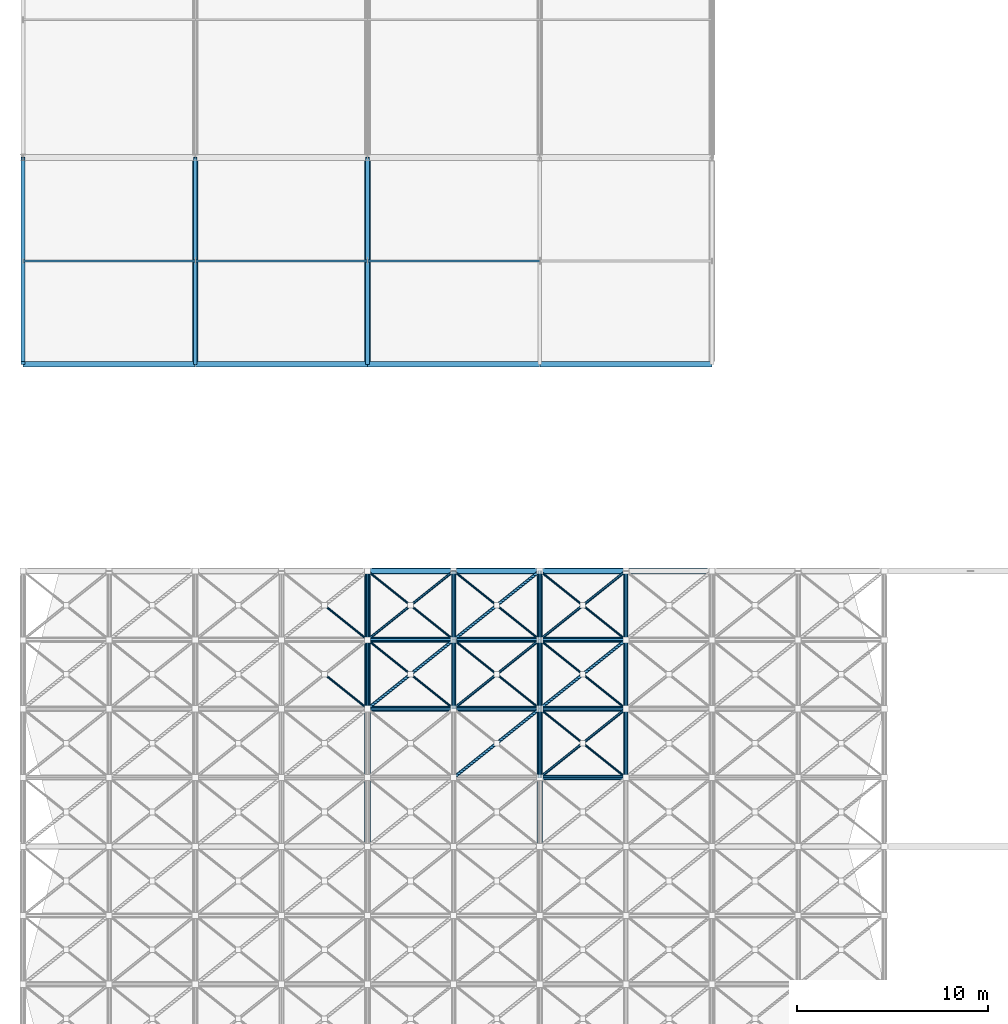
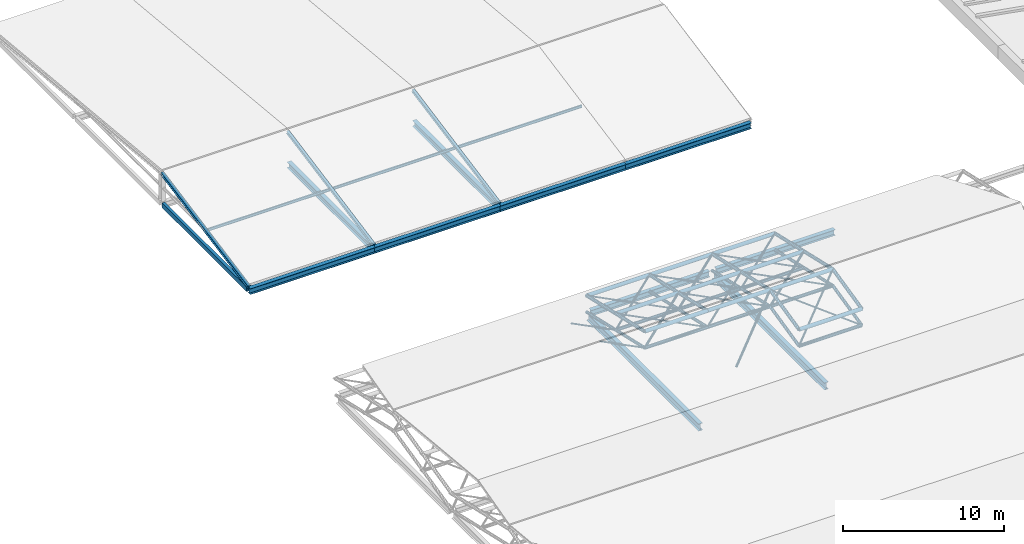
# One storey, part 28 of 110: 67 members, 11 beams.
"""IFC4 building model written with IfcOpenShell, lengths in metres."""

from ifc_helpers import new_model, si_unit, direction, frame, origin, origin_2d, place, context, subcontext, project, spatial, hollow_rectangle, hollow_circle, i_section, extrude, material, material_profile, profile_set, type_object, element, save


model = new_model("IFC4")

# Units and contexts
model_context = context("Model", 3, precision=1e-05, world=origin(), true_north=direction((0.0, 1.0)))
body_context = subcontext(model_context, "Body", "Model", "MODEL_VIEW")
ifc_project = project(units=[si_unit("LENGTHUNIT", "METRE"), si_unit("AREAUNIT", "SQUARE_METRE"), si_unit("VOLUMEUNIT", "CUBIC_METRE"), si_unit("PLANEANGLEUNIT", "RADIAN"), si_unit("MASSUNIT", "GRAM", prefix="KILO")], contexts=[model_context])

# Site, building, storey
site_placement = place(None, origin())
site = spatial("IfcSite", under=ifc_project, at=site_placement, CompositionType="ELEMENT")
building_placement = place(site_placement, origin())
building = spatial("IfcBuilding", under=site, at=building_placement, Name="Tamarisk Ironworks Central Station", CompositionType="ELEMENT")
storey_placement = place(building_placement, frame((0.0, 0.0, 17.39990234375)))
storey = spatial("IfcBuildingStorey", under=building, at=storey_placement, Name="L03", CompositionType="ELEMENT", Elevation=17.39990234375)

# Beams
ifc_material_1 = material(Name="Structural steel S355J2", Category="steel")
ifc_material_profile_1 = material_profile(ifc_material_1, i_section(OverallWidth=0.300048828125, OverallDepth=0.5400390625, WebThickness=0.012451171875, FlangeThickness=0.02392578125, at=origin_2d()), Name="HEA 550")
ifc_profile_set_1 = profile_set([ifc_material_profile_1], Name="Structural steel S355J2")
beam_type_1 = type_object("IfcBeamType", Name="BM-G04", PredefinedType="BEAM", material=ifc_profile_set_1)
beam_1_placement = place(storey_placement, frame((18.0, 65.0419921875, -1.869873046875), z_axis=(0.0, 1.0, 0.0), x_axis=(-1.0, 0.0, 0.0)))
element("IfcBeam", 1, at=beam_1_placement, inside=storey, type_object=beam_type_1, Name="L03 primary girder Y-0593", PredefinedType="BEAM", context=body_context, shape_type="SweptSolid", body=[
    extrude(i_section(OverallWidth=0.300048828125, OverallDepth=0.5400390625, WebThickness=0.012451171875, FlangeThickness=0.02392578125, at=origin_2d()), origin(), (0.0, 0.0, 1.0), 13.916015625),
])
beam_2_placement = place(storey_placement, frame((27.0, 64.9912109375, -1.869873046875), z_axis=(0.0, 1.0, 0.0), x_axis=(-1.0, 0.0, 0.0)))
element("IfcBeam", 2, at=beam_2_placement, inside=storey, type_object=beam_type_1, Name="L03 primary girder Y-0597", PredefinedType="BEAM", context=body_context, shape_type="SweptSolid", body=[
    extrude(i_section(OverallWidth=0.300048828125, OverallDepth=0.5400390625, WebThickness=0.012451171875, FlangeThickness=0.02392578125, at=origin_2d()), origin(), (0.0, 0.0, 1.0), 13.966796875),
])
ifc_material_profile_2 = material_profile(ifc_material_1, i_section(OverallWidth=0.300048828125, OverallDepth=0.43994140625, WebThickness=0.011474609375, FlangeThickness=0.02099609375, at=origin_2d()), Name="HEA 450")
ifc_profile_set_2 = profile_set([ifc_material_profile_2], Name="Structural steel S355J2")
beam_type_2 = type_object("IfcBeamType", Name="BM-G06", PredefinedType="BEAM", material=ifc_profile_set_2)
for number, where, z_axis, x_axis, name in (
    (3, (18.241943359375, 79.199951171875, -1.81982421875), (1.0, 0.0, 0.0), (0.0, 1.0, 0.0), "L03 primary girder X-0579"),
    (4, (27.241943359375, 79.199951171875, -1.81982421875), (1.0, 0.0, 0.0), (0.0, 1.0, 0.0), "L03 primary girder X-0580"),
):
    element("IfcBeam", number, at=place(storey_placement, frame(where, z_axis=z_axis, x_axis=x_axis)), inside=storey, type_object=beam_type_2, Name=name, PredefinedType="BEAM", context=body_context, shape_type="SweptSolid", body=[
        extrude(i_section(OverallWidth=0.300048828125, OverallDepth=0.43994140625, WebThickness=0.011474609375, FlangeThickness=0.02099609375, at=origin_2d()), origin(), (0.0, 0.0, 1.0), 8.51611328125),
    ])
for number, where, z_axis, x_axis, name in (
    (5, (0.00390625, 90.0, -0.33984375), (1.0, 0.0, 0.0), (0.0, 1.0, 0.0), "L03 primary girder X-0632"),
    (6, (9.00390625, 90.0, -0.33984375), (1.0, 0.0, 0.0), (0.0, 1.0, 0.0), "L03 primary girder X-0633"),
    (7, (18.00390625, 90.0, -0.33984375), (1.0, 0.0, 0.0), (0.0, 1.0, 0.0), "L03 primary girder X-0634"),
    (8, (27.00390625, 90.0, -0.33984375), (1.0, 0.0, 0.0), (0.0, 1.0, 0.0), "L03 primary girder X-0635"),
):
    element("IfcBeam", number, at=place(storey_placement, frame(where, z_axis=z_axis, x_axis=x_axis)), inside=storey, type_object=beam_type_2, Name=name, PredefinedType="BEAM", context=body_context, shape_type="SweptSolid", body=[
        extrude(i_section(OverallWidth=0.300048828125, OverallDepth=0.43994140625, WebThickness=0.011474609375, FlangeThickness=0.02099609375, at=origin_2d()), origin(), (0.0, 0.0, 1.0), 8.9921875),
    ])
for number, where, z_axis, x_axis, name in (
    (9, (9.0, 90.137939453125, -0.33984375), (0.0, 1.0, 0.0), (-1.0, 0.0, 0.0), "L03 primary girder Y-0670"),
    (10, (18.0, 90.137939453125, -0.33984375), (0.0, 1.0, 0.0), (-1.0, 0.0, 0.0), "L03 primary girder Y-0672"),
):
    element("IfcBeam", number, at=place(storey_placement, frame(where, z_axis=z_axis, x_axis=x_axis)), inside=storey, type_object=beam_type_2, Name=name, PredefinedType="BEAM", context=body_context, shape_type="SweptSolid", body=[
        extrude(i_section(OverallWidth=0.300048828125, OverallDepth=0.43994140625, WebThickness=0.011474609375, FlangeThickness=0.02099609375, at=origin_2d()), origin(), (0.0, 0.0, 1.0), 10.494140625),
    ])
ifc_material_profile_3 = material_profile(ifc_material_1, hollow_rectangle(XDim=0.199951171875, YDim=0.35009765625, WallThickness=0.012451171875, at=origin_2d()), Name="RHS 350x200x12.5")
ifc_profile_set_3 = profile_set([ifc_material_profile_3], Name="Structural steel S355J2")
beam_type_3 = type_object("IfcBeamType", Name="BM-SP01", PredefinedType="SPANDREL", material=ifc_profile_set_3)
beam_3_placement = place(storey_placement, frame((0.0, 90.137939453125, -0.294921875), z_axis=(0.0, 1.0, 0.0), x_axis=(-1.0, 0.0, 0.0)))
element("IfcBeam", 11, at=beam_3_placement, inside=storey, type_object=beam_type_3, Name="L03 primary girder Y-0667", PredefinedType="SPANDREL", context=body_context, shape_type="SweptSolid", body=[
    extrude(hollow_rectangle(XDim=0.199951171875, YDim=0.35009765625, WallThickness=0.012451171875, at=origin_2d()), origin(), (0.0, 0.0, 1.0), 10.524169921875),
])

# Members
ifc_material_profile_4 = material_profile(ifc_material_1, i_section(OverallWidth=0.10009765625, OverallDepth=0.199951171875, WebThickness=0.005615234375, FlangeThickness=0.008544921875, at=origin_2d()), Name="IPE 200")
ifc_profile_set_4 = profile_set([ifc_material_profile_4], Name="Structural steel S355J2")
member_type_1 = type_object("IfcMemberType", Name="MB-PR03", PredefinedType="PURLIN", material=ifc_profile_set_4)
for number, where, z_axis, x_axis, name in (
    (12, (0.0, 95.39990234375, 0.945068359375), (1.0, 0.0, 0.0), (0.0, 1.0, 0.0), "Pavilion roof purlin 17"),
    (13, (9.0, 95.39990234375, 0.945068359375), (1.0, 0.0, 0.0), (0.0, 1.0, 0.0), "Pavilion roof purlin 21"),
    (14, (18.0, 95.39990234375, 0.945068359375), (1.0, 0.0, 0.0), (0.0, 1.0, 0.0), "Pavilion roof purlin 25"),
):
    element("IfcMember", number, at=place(storey_placement, frame(where, z_axis=z_axis, x_axis=x_axis)), inside=storey, type_object=member_type_1, Name=name, PredefinedType="PURLIN", context=body_context, shape_type="SweptSolid", body=[
        extrude(i_section(OverallWidth=0.10009765625, OverallDepth=0.199951171875, WebThickness=0.005615234375, FlangeThickness=0.008544921875, at=origin_2d()), origin(), (0.0, 0.0, 1.0), 9.0),
    ])
ifc_material_profile_5 = material_profile(ifc_material_1, i_section(OverallWidth=0.219970703125, OverallDepth=0.219970703125, WebThickness=0.009521484375, FlangeThickness=0.01611328125, at=origin_2d()), Name="HEB 220")
ifc_profile_set_5 = profile_set([ifc_material_profile_5], Name="Structural steel S355J2")
member_type_2 = type_object("IfcMemberType", Name="MB-RF01", PredefinedType="RAFTER", material=ifc_profile_set_5)
member_1_placement = place(storey_placement, frame((0.0, 90.0, -0.059814453125), z_axis=(0.0, 0.981957490531, 0.189101789494), x_axis=(-1.0, 0.0, 0.0)))
element("IfcMember", 15, at=member_1_placement, inside=storey, type_object=member_type_2, Name="Pavilion pitched roof steel rafter 01", PredefinedType="RAFTER", context=body_context, shape_type="SweptSolid", body=[
    extrude(i_section(OverallWidth=0.219970703125, OverallDepth=0.219970703125, WebThickness=0.009521484375, FlangeThickness=0.01611328125, at=origin_2d()), origin(), (0.0, 0.0, 1.0), 10.99853515625),
])
ifc_material_profile_6 = material_profile(ifc_material_1, i_section(OverallWidth=0.199951171875, OverallDepth=0.199951171875, WebThickness=0.009033203125, FlangeThickness=0.014892578125, at=origin_2d()), Name="HEB 200")
ifc_profile_set_6 = profile_set([ifc_material_profile_6], Name="Structural steel S355J2")
member_type_3 = type_object("IfcMemberType", Name="MB-RF02", PredefinedType="RAFTER", material=ifc_profile_set_6)
for number, where, z_axis, x_axis, name in (
    (16, (9.0, 90.0, -0.059814453125), (0.0, 0.981957490531, 0.189101789494), (-1.0, 0.0, 0.0), "Pavilion pitched roof steel rafter 04"),
    (17, (18.0, 90.0, -0.059814453125), (0.0, 0.981957490531, 0.189101789494), (-1.0, 0.0, 0.0), "Pavilion pitched roof steel rafter 07"),
):
    element("IfcMember", number, at=place(storey_placement, frame(where, z_axis=z_axis, x_axis=x_axis)), inside=storey, type_object=member_type_3, Name=name, PredefinedType="RAFTER", context=body_context, shape_type="SweptSolid", body=[
        extrude(i_section(OverallWidth=0.199951171875, OverallDepth=0.199951171875, WebThickness=0.009033203125, FlangeThickness=0.014892578125, at=origin_2d()), origin(), (0.0, 0.0, 1.0), 10.99853515625),
    ])
ifc_material_2 = material(Name="Structural steel S355J2H", Category="steel")
ifc_material_profile_7 = material_profile(ifc_material_2, hollow_circle(Radius=0.136474609375, WallThickness=0.012451171875, at=origin_2d()), Name="CHS 273x12.5")
ifc_profile_set_7 = profile_set([ifc_material_profile_7], Name="Structural steel S355J2H")
member_type_4 = type_object("IfcMemberType", Name="MB-SFC01", PredefinedType="CHORD", material=ifc_profile_set_7)
for number, where, z_axis, x_axis, name in (
    (18, (27.0, 68.39990234375, 0.35498046875), (1.0, 0.0, 0.0), (0.0, 1.0, 0.0), "Train shed space-frame top chord 0805"),
    (19, (18.0, 72.0, 1.18017578125), (1.0, 0.0, 0.0), (0.0, 1.0, 0.0), "Train shed space-frame top chord 0813"),
    (20, (22.5, 72.0, 1.18017578125), (1.0, 0.0, 0.0), (0.0, 1.0, 0.0), "Train shed space-frame top chord 0814"),
    (21, (27.0, 72.0, 1.18017578125), (1.0, 0.0, 0.0), (0.0, 1.0, 0.0), "Train shed space-frame top chord 0815"),
    (22, (18.0, 75.60009765625, 0.35498046875), (1.0, 0.0, 0.0), (0.0, 1.0, 0.0), "Train shed space-frame top chord 0823"),
    (23, (22.5, 75.60009765625, 0.35498046875), (1.0, 0.0, 0.0), (0.0, 1.0, 0.0), "Train shed space-frame top chord 0824"),
    (24, (27.0, 75.60009765625, 0.35498046875), (1.0, 0.0, 0.0), (0.0, 1.0, 0.0), "Train shed space-frame top chord 0825"),
    (25, (18.0, 79.199951171875, -0.469970703125), (1.0, 0.0, 0.0), (0.0, 1.0, 0.0), "Train shed space-frame top chord 0833"),
    (26, (22.5, 79.199951171875, -0.469970703125), (1.0, 0.0, 0.0), (0.0, 1.0, 0.0), "Train shed space-frame top chord 0834"),
    (27, (27.0, 79.199951171875, -0.469970703125), (1.0, 0.0, 0.0), (0.0, 1.0, 0.0), "Train shed space-frame top chord 0835"),
):
    element("IfcMember", number, at=place(storey_placement, frame(where, z_axis=z_axis, x_axis=x_axis)), inside=storey, type_object=member_type_4, Name=name, PredefinedType="CHORD", context=body_context, shape_type="SweptSolid", body=[
        extrude(hollow_circle(Radius=0.136474609375, WallThickness=0.012451171875, at=origin_2d()), origin(), (0.0, 0.0, 1.0), 4.5),
    ])
ifc_material_profile_8 = material_profile(ifc_material_2, hollow_circle(Radius=0.122314453125, WallThickness=0.012451171875, at=origin_2d()), Name="CHS 244.5x12.5")
ifc_profile_set_8 = profile_set([ifc_material_profile_8], Name="Structural steel S355J2H")
member_type_5 = type_object("IfcMemberType", Name="MB-SFC02", PredefinedType="CHORD", material=ifc_profile_set_8)
for number, where, z_axis, x_axis, name in (
    (28, (27.0, 68.39990234375, -0.89501953125), (1.0, 0.0, 0.0), (0.0, 1.0, 0.0), "Train shed space-frame bottom chord 0731"),
    (29, (18.0, 72.0, -0.06982421875), (1.0, 0.0, 0.0), (0.0, 1.0, 0.0), "Train shed space-frame bottom chord 0739"),
    (30, (22.5, 72.0, -0.06982421875), (1.0, 0.0, 0.0), (0.0, 1.0, 0.0), "Train shed space-frame bottom chord 0740"),
    (31, (27.0, 72.0, -0.06982421875), (1.0, 0.0, 0.0), (0.0, 1.0, 0.0), "Train shed space-frame bottom chord 0741"),
    (32, (18.0, 75.60009765625, -0.89501953125), (1.0, 0.0, 0.0), (0.0, 1.0, 0.0), "Train shed space-frame bottom chord 0749"),
    (33, (22.5, 75.60009765625, -0.89501953125), (1.0, 0.0, 0.0), (0.0, 1.0, 0.0), "Train shed space-frame bottom chord 0750"),
    (34, (27.0, 75.60009765625, -0.89501953125), (1.0, 0.0, 0.0), (0.0, 1.0, 0.0), "Train shed space-frame bottom chord 0751"),
):
    element("IfcMember", number, at=place(storey_placement, frame(where, z_axis=z_axis, x_axis=x_axis)), inside=storey, type_object=member_type_5, Name=name, PredefinedType="CHORD", context=body_context, shape_type="SweptSolid", body=[
        extrude(hollow_circle(Radius=0.122314453125, WallThickness=0.012451171875, at=origin_2d()), origin(), (0.0, 0.0, 1.0), 4.5),
    ])
member_2_placement = place(storey_placement, frame((18.0, 72.0, 1.18017578125), z_axis=(0.0, 0.974722123001, -0.223420641241), x_axis=(-1.0, 0.0, 0.0)))
element("IfcMember", 35, at=member_2_placement, inside=storey, type_object=member_type_5, Name="Train shed space-frame top transverse chord 0857", PredefinedType="CHORD", context=body_context, shape_type="SweptSolid", body=[
    extrude(hollow_circle(Radius=0.122314453125, WallThickness=0.012451171875, at=origin_2d()), origin(), (0.0, 0.0, 1.0), 3.693359375),
])
member_3_placement = place(storey_placement, frame((18.0, 75.60009765625, 0.35498046875), z_axis=(0.0, 0.974733218107, -0.223372230857), x_axis=(-1.0, 0.0, 0.0)))
element("IfcMember", 36, at=member_3_placement, inside=storey, type_object=member_type_5, Name="Train shed space-frame top transverse chord 0858", PredefinedType="CHORD", context=body_context, shape_type="SweptSolid", body=[
    extrude(hollow_circle(Radius=0.122314453125, WallThickness=0.012451171875, at=origin_2d()), origin(), (0.0, 0.0, 1.0), 3.693115234375),
])
member_4_placement = place(storey_placement, frame((22.5, 72.0, 1.18017578125), z_axis=(0.0, 0.974722123001, -0.223420641241), x_axis=(-1.0, 0.0, 0.0)))
element("IfcMember", 37, at=member_4_placement, inside=storey, type_object=member_type_5, Name="Train shed space-frame top transverse chord 0861", PredefinedType="CHORD", context=body_context, shape_type="SweptSolid", body=[
    extrude(hollow_circle(Radius=0.122314453125, WallThickness=0.012451171875, at=origin_2d()), origin(), (0.0, 0.0, 1.0), 3.693359375),
])
member_5_placement = place(storey_placement, frame((22.5, 75.60009765625, 0.35498046875), z_axis=(0.0, 0.974733218107, -0.223372230857), x_axis=(-1.0, 0.0, 0.0)))
element("IfcMember", 38, at=member_5_placement, inside=storey, type_object=member_type_5, Name="Train shed space-frame top transverse chord 0862", PredefinedType="CHORD", context=body_context, shape_type="SweptSolid", body=[
    extrude(hollow_circle(Radius=0.122314453125, WallThickness=0.012451171875, at=origin_2d()), origin(), (0.0, 0.0, 1.0), 3.693115234375),
])
for number, where, z_axis, x_axis, name in (
    (39, (27.0, 68.39990234375, 0.35498046875), (0.0, 0.974722123001, 0.223420641241), (-1.0, 0.0, 0.0), "Train shed space-frame top transverse chord 0864"),
    (40, (27.0, 72.0, 1.18017578125), (0.0, 0.974722123001, -0.223420641241), (-1.0, 0.0, 0.0), "Train shed space-frame top transverse chord 0865"),
):
    element("IfcMember", number, at=place(storey_placement, frame(where, z_axis=z_axis, x_axis=x_axis)), inside=storey, type_object=member_type_5, Name=name, PredefinedType="CHORD", context=body_context, shape_type="SweptSolid", body=[
        extrude(hollow_circle(Radius=0.122314453125, WallThickness=0.012451171875, at=origin_2d()), origin(), (0.0, 0.0, 1.0), 3.693359375),
    ])
member_6_placement = place(storey_placement, frame((27.0, 75.60009765625, 0.35498046875), z_axis=(0.0, 0.974733218107, -0.223372230857), x_axis=(-1.0, 0.0, 0.0)))
element("IfcMember", 41, at=member_6_placement, inside=storey, type_object=member_type_5, Name="Train shed space-frame top transverse chord 0866", PredefinedType="CHORD", context=body_context, shape_type="SweptSolid", body=[
    extrude(hollow_circle(Radius=0.122314453125, WallThickness=0.012451171875, at=origin_2d()), origin(), (0.0, 0.0, 1.0), 3.693115234375),
])
for number, where, z_axis, x_axis, name in (
    (42, (31.5, 68.39990234375, 0.35498046875), (0.0, 0.974722123001, 0.223420641241), (-1.0, 0.0, 0.0), "Train shed space-frame top transverse chord 0868"),
    (43, (31.5, 72.0, 1.18017578125), (0.0, 0.974722123001, -0.223420641241), (-1.0, 0.0, 0.0), "Train shed space-frame top transverse chord 0869"),
):
    element("IfcMember", number, at=place(storey_placement, frame(where, z_axis=z_axis, x_axis=x_axis)), inside=storey, type_object=member_type_5, Name=name, PredefinedType="CHORD", context=body_context, shape_type="SweptSolid", body=[
        extrude(hollow_circle(Radius=0.122314453125, WallThickness=0.012451171875, at=origin_2d()), origin(), (0.0, 0.0, 1.0), 3.693359375),
    ])
member_7_placement = place(storey_placement, frame((31.5, 75.60009765625, 0.35498046875), z_axis=(0.0, 0.974733218107, -0.223372230857), x_axis=(-1.0, 0.0, 0.0)))
element("IfcMember", 44, at=member_7_placement, inside=storey, type_object=member_type_5, Name="Train shed space-frame top transverse chord 0870", PredefinedType="CHORD", context=body_context, shape_type="SweptSolid", body=[
    extrude(hollow_circle(Radius=0.122314453125, WallThickness=0.012451171875, at=origin_2d()), origin(), (0.0, 0.0, 1.0), 3.693115234375),
])
ifc_material_profile_9 = material_profile(ifc_material_2, hollow_circle(Radius=0.109619140625, WallThickness=0.010009765625, at=origin_2d()), Name="CHS 219.1x10")
ifc_profile_set_9 = profile_set([ifc_material_profile_9], Name="Structural steel S355J2H")
member_type_6 = type_object("IfcMemberType", Name="MB-SFC03", PredefinedType="CHORD", material=ifc_profile_set_9)
member_8_placement = place(storey_placement, frame((18.0, 72.0, -0.06982421875), z_axis=(0.0, 0.974722123001, -0.223420641241), x_axis=(-1.0, 0.0, 0.0)))
element("IfcMember", 45, at=member_8_placement, inside=storey, type_object=member_type_6, Name="Train shed space-frame transverse chord 0773", PredefinedType="CHORD", context=body_context, shape_type="SweptSolid", body=[
    extrude(hollow_circle(Radius=0.109619140625, WallThickness=0.010009765625, at=origin_2d()), origin(), (0.0, 0.0, 1.0), 3.693359375),
])
member_9_placement = place(storey_placement, frame((18.0, 75.60009765625, -0.89501953125), z_axis=(0.0, 0.974733218107, -0.223372230857), x_axis=(-1.0, 0.0, 0.0)))
element("IfcMember", 46, at=member_9_placement, inside=storey, type_object=member_type_6, Name="Train shed space-frame transverse chord 0774", PredefinedType="CHORD", context=body_context, shape_type="SweptSolid", body=[
    extrude(hollow_circle(Radius=0.109619140625, WallThickness=0.010009765625, at=origin_2d()), origin(), (0.0, 0.0, 1.0), 3.693115234375),
])
member_10_placement = place(storey_placement, frame((22.5, 72.0, -0.06982421875), z_axis=(0.0, 0.974722123001, -0.223420641241), x_axis=(-1.0, 0.0, 0.0)))
element("IfcMember", 47, at=member_10_placement, inside=storey, type_object=member_type_6, Name="Train shed space-frame transverse chord 0777", PredefinedType="CHORD", context=body_context, shape_type="SweptSolid", body=[
    extrude(hollow_circle(Radius=0.109619140625, WallThickness=0.010009765625, at=origin_2d()), origin(), (0.0, 0.0, 1.0), 3.693359375),
])
member_11_placement = place(storey_placement, frame((22.5, 75.60009765625, -0.89501953125), z_axis=(0.0, 0.974733218107, -0.223372230857), x_axis=(-1.0, 0.0, 0.0)))
element("IfcMember", 48, at=member_11_placement, inside=storey, type_object=member_type_6, Name="Train shed space-frame transverse chord 0778", PredefinedType="CHORD", context=body_context, shape_type="SweptSolid", body=[
    extrude(hollow_circle(Radius=0.109619140625, WallThickness=0.010009765625, at=origin_2d()), origin(), (0.0, 0.0, 1.0), 3.693115234375),
])
for number, where, z_axis, x_axis, name in (
    (49, (27.0, 68.39990234375, -0.89501953125), (0.0, 0.974722123001, 0.223420641241), (-1.0, 0.0, 0.0), "Train shed space-frame transverse chord 0780"),
    (50, (27.0, 72.0, -0.06982421875), (0.0, 0.974722123001, -0.223420641241), (-1.0, 0.0, 0.0), "Train shed space-frame transverse chord 0781"),
):
    element("IfcMember", number, at=place(storey_placement, frame(where, z_axis=z_axis, x_axis=x_axis)), inside=storey, type_object=member_type_6, Name=name, PredefinedType="CHORD", context=body_context, shape_type="SweptSolid", body=[
        extrude(hollow_circle(Radius=0.109619140625, WallThickness=0.010009765625, at=origin_2d()), origin(), (0.0, 0.0, 1.0), 3.693359375),
    ])
member_12_placement = place(storey_placement, frame((27.0, 75.60009765625, -0.89501953125), z_axis=(0.0, 0.974733218107, -0.223372230857), x_axis=(-1.0, 0.0, 0.0)))
element("IfcMember", 51, at=member_12_placement, inside=storey, type_object=member_type_6, Name="Train shed space-frame transverse chord 0782", PredefinedType="CHORD", context=body_context, shape_type="SweptSolid", body=[
    extrude(hollow_circle(Radius=0.109619140625, WallThickness=0.010009765625, at=origin_2d()), origin(), (0.0, 0.0, 1.0), 3.693115234375),
])
for number, where, z_axis, x_axis, name in (
    (52, (31.5, 68.39990234375, -0.89501953125), (0.0, 0.974722123001, 0.223420641241), (-1.0, 0.0, 0.0), "Train shed space-frame transverse chord 0784"),
    (53, (31.5, 72.0, -0.06982421875), (0.0, 0.974722123001, -0.223420641241), (-1.0, 0.0, 0.0), "Train shed space-frame transverse chord 0785"),
):
    element("IfcMember", number, at=place(storey_placement, frame(where, z_axis=z_axis, x_axis=x_axis)), inside=storey, type_object=member_type_6, Name=name, PredefinedType="CHORD", context=body_context, shape_type="SweptSolid", body=[
        extrude(hollow_circle(Radius=0.109619140625, WallThickness=0.010009765625, at=origin_2d()), origin(), (0.0, 0.0, 1.0), 3.693359375),
    ])
member_13_placement = place(storey_placement, frame((31.5, 75.60009765625, -0.89501953125), z_axis=(0.0, 0.974733218107, -0.223372230857), x_axis=(-1.0, 0.0, 0.0)))
element("IfcMember", 54, at=member_13_placement, inside=storey, type_object=member_type_6, Name="Train shed space-frame transverse chord 0786", PredefinedType="CHORD", context=body_context, shape_type="SweptSolid", body=[
    extrude(hollow_circle(Radius=0.109619140625, WallThickness=0.010009765625, at=origin_2d()), origin(), (0.0, 0.0, 1.0), 3.693115234375),
])
ifc_material_profile_10 = material_profile(ifc_material_2, hollow_circle(Radius=0.084228515625, WallThickness=0.010009765625, at=origin_2d()), Name="CHS 168.3x10")
ifc_profile_set_10 = profile_set([ifc_material_profile_10], Name="Structural steel S355J2H")
member_type_7 = type_object("IfcMemberType", Name="MB-SFD01", PredefinedType="BRACE", material=ifc_profile_set_10)
member_14_placement = place(storey_placement, frame((18.0, 72.0, -0.06982421875), z_axis=(0.778747645228, 0.623015016088, 0.073514588905), x_axis=(-0.624705380279, 0.780860543151, 0.0)))
element("IfcMember", 55, at=member_14_placement, inside=storey, type_object=member_type_7, Name="Train shed space-frame diagonal 0919", PredefinedType="BRACE", context=body_context, shape_type="SweptSolid", body=[
    extrude(hollow_circle(Radius=0.084228515625, WallThickness=0.010009765625, at=origin_2d()), origin(), (0.0, 0.0, 1.0), 5.778564453125),
])
member_15_placement = place(storey_placement, frame((22.5, 68.39990234375, -0.89501953125), z_axis=(0.734679055902, 0.587759188278, 0.338800562889), x_axis=(-0.624705380279, 0.780860543151, 0.0)))
element("IfcMember", 56, at=member_15_placement, inside=storey, type_object=member_type_7, Name="Train shed space-frame diagonal 0925", PredefinedType="BRACE", context=body_context, shape_type="SweptSolid", body=[
    extrude(hollow_circle(Radius=0.084228515625, WallThickness=0.010009765625, at=origin_2d()), origin(), (0.0, 0.0, 1.0), 6.125244140625),
])
member_16_placement = place(storey_placement, frame((22.5, 75.60009765625, -0.89501953125), z_axis=(0.778765724077, 0.622987228815, 0.073558546312), x_axis=(-0.624679547852, 0.780881208953, 0.0)))
element("IfcMember", 57, at=member_16_placement, inside=storey, type_object=member_type_7, Name="Train shed space-frame diagonal 0929", PredefinedType="BRACE", context=body_context, shape_type="SweptSolid", body=[
    extrude(hollow_circle(Radius=0.084228515625, WallThickness=0.010009765625, at=origin_2d()), origin(), (0.0, 0.0, 1.0), 5.7783203125),
])
member_17_placement = place(storey_placement, frame((27.0, 72.0, -0.06982421875), z_axis=(0.778747645228, 0.623015016088, 0.073514588905), x_axis=(-0.624705380279, 0.780860543151, 0.0)))
element("IfcMember", 58, at=member_17_placement, inside=storey, type_object=member_type_7, Name="Train shed space-frame diagonal 0935", PredefinedType="BRACE", context=body_context, shape_type="SweptSolid", body=[
    extrude(hollow_circle(Radius=0.084228515625, WallThickness=0.010009765625, at=origin_2d()), origin(), (0.0, 0.0, 1.0), 5.778564453125),
])
ifc_material_profile_11 = material_profile(ifc_material_2, hollow_circle(Radius=0.06982421875, WallThickness=0.008056640625, at=origin_2d()), Name="CHS 139.7x8")
ifc_profile_set_11 = profile_set([ifc_material_profile_11], Name="Structural steel S355J2H")
member_type_8 = type_object("IfcMemberType", Name="MB-SFD02", PredefinedType="BRACE", material=ifc_profile_set_11)
member_18_placement = place(storey_placement, frame((18.0, 75.60009765625, -0.89501953125), z_axis=(0.778765724077, 0.622987228815, 0.073558546312), x_axis=(-0.624679547852, 0.780881208953, 0.0)))
element("IfcMember", 59, at=member_18_placement, inside=storey, type_object=member_type_8, Name="Train shed space-frame diagonal 0921", PredefinedType="BRACE", context=body_context, shape_type="SweptSolid", body=[
    extrude(hollow_circle(Radius=0.06982421875, WallThickness=0.008056640625, at=origin_2d()), origin(), (0.0, 0.0, 1.0), 5.7783203125),
])
member_19_placement = place(storey_placement, frame((22.5, 72.0, -0.06982421875), z_axis=(0.778747645228, 0.623015016088, 0.073514588905), x_axis=(-0.624705380279, 0.780860543151, 0.0)))
element("IfcMember", 60, at=member_19_placement, inside=storey, type_object=member_type_8, Name="Train shed space-frame diagonal 0927", PredefinedType="BRACE", context=body_context, shape_type="SweptSolid", body=[
    extrude(hollow_circle(Radius=0.06982421875, WallThickness=0.008056640625, at=origin_2d()), origin(), (0.0, 0.0, 1.0), 5.778564453125),
])
member_20_placement = place(storey_placement, frame((27.0, 68.39990234375, -0.89501953125), z_axis=(0.734679055902, 0.587759188278, 0.338800562889), x_axis=(-0.624705380279, 0.780860543151, 0.0)))
element("IfcMember", 61, at=member_20_placement, inside=storey, type_object=member_type_8, Name="Train shed space-frame diagonal 0933", PredefinedType="BRACE", context=body_context, shape_type="SweptSolid", body=[
    extrude(hollow_circle(Radius=0.06982421875, WallThickness=0.008056640625, at=origin_2d()), origin(), (0.0, 0.0, 1.0), 6.125244140625),
])
member_21_placement = place(storey_placement, frame((27.0, 75.60009765625, -0.89501953125), z_axis=(0.778765724077, 0.622987228815, 0.073558546312), x_axis=(-0.624679547852, 0.780881208953, 0.0)))
element("IfcMember", 62, at=member_21_placement, inside=storey, type_object=member_type_8, Name="Train shed space-frame diagonal 0937", PredefinedType="BRACE", context=body_context, shape_type="SweptSolid", body=[
    extrude(hollow_circle(Radius=0.06982421875, WallThickness=0.008056640625, at=origin_2d()), origin(), (0.0, 0.0, 1.0), 5.7783203125),
])
ifc_material_profile_12 = material_profile(ifc_material_2, hollow_circle(Radius=0.05712890625, WallThickness=0.00634765625, at=origin_2d()), Name="CHS 114.3x6.3")
ifc_profile_set_12 = profile_set([ifc_material_profile_12], Name="Structural steel S355J2H")
member_type_9 = type_object("IfcMemberType", Name="MB-SFD03", PredefinedType="BRACE", material=ifc_profile_set_12)
for number, where, z_axis, x_axis, name in (
    (63, (18.0, 72.0, -0.06982421875), (-0.778786711003, 0.622960457248, 0.073563084968), (-0.624652913247, -0.780902515025, 0.0), "Train shed space-frame split counter-diagonal lower 0912"),
    (64, (18.0, 75.60009765625, -0.89501953125), (-0.778786711003, 0.622960457248, 0.073563084968), (-0.624652913247, -0.780902515025, 0.0), "Train shed space-frame split counter-diagonal lower 0914"),
    (65, (22.5, 72.0, -0.06982421875), (-0.778786711003, 0.622960457248, 0.073563084968), (-0.624652913247, -0.780902515025, 0.0), "Train shed space-frame split counter-diagonal lower 0920"),
):
    element("IfcMember", number, at=place(storey_placement, frame(where, z_axis=z_axis, x_axis=x_axis)), inside=storey, type_object=member_type_9, Name=name, PredefinedType="BRACE", context=body_context, shape_type="SweptSolid", body=[
        extrude(hollow_circle(Radius=0.05712890625, WallThickness=0.00634765625, at=origin_2d()), origin(), (0.0, 0.0, 1.0), 2.834228515625),
    ])
member_22_placement = place(storey_placement, frame((20.207275390625, 73.834228515625, 0.146484375), z_axis=(-0.778744920641, 0.623013163477, 0.07355913751), x_axis=(-0.624705580279, -0.780860383147, 0.0)))
element("IfcMember", 66, at=member_22_placement, inside=storey, type_object=member_type_9, Name="Train shed space-frame split counter-diagonal upper 0920", PredefinedType="BRACE", context=body_context, shape_type="SweptSolid", body=[
    extrude(hollow_circle(Radius=0.05712890625, WallThickness=0.00634765625, at=origin_2d()), origin(), (0.0, 0.0, 1.0), 2.83447265625),
])
for number, where, z_axis, x_axis, name in (
    (67, (22.5, 75.60009765625, -0.89501953125), (-0.778786711003, 0.622960457248, 0.073563084968), (-0.624652913247, -0.780902515025, 0.0), "Train shed space-frame split counter-diagonal lower 0922"),
    (68, (20.207275390625, 77.434326171875, -0.678466796875), (-0.778786711003, 0.622960457248, 0.073563084968), (-0.624652913247, -0.780902515025, 0.0), "Train shed space-frame split counter-diagonal upper 0922"),
    (69, (27.0, 72.0, -0.06982421875), (-0.778786711003, 0.622960457248, 0.073563084968), (-0.624652913247, -0.780902515025, 0.0), "Train shed space-frame split counter-diagonal lower 0928"),
):
    element("IfcMember", number, at=place(storey_placement, frame(where, z_axis=z_axis, x_axis=x_axis)), inside=storey, type_object=member_type_9, Name=name, PredefinedType="BRACE", context=body_context, shape_type="SweptSolid", body=[
        extrude(hollow_circle(Radius=0.05712890625, WallThickness=0.00634765625, at=origin_2d()), origin(), (0.0, 0.0, 1.0), 2.834228515625),
    ])
member_23_placement = place(storey_placement, frame((24.707275390625, 73.834228515625, 0.146484375), z_axis=(-0.778744920641, 0.623013163477, 0.07355913751), x_axis=(-0.624705580279, -0.780860383147, 0.0)))
element("IfcMember", 70, at=member_23_placement, inside=storey, type_object=member_type_9, Name="Train shed space-frame split counter-diagonal upper 0928", PredefinedType="BRACE", context=body_context, shape_type="SweptSolid", body=[
    extrude(hollow_circle(Radius=0.05712890625, WallThickness=0.00634765625, at=origin_2d()), origin(), (0.0, 0.0, 1.0), 2.83447265625),
])
for number, where, z_axis, x_axis, name in (
    (71, (27.0, 75.60009765625, -0.89501953125), (-0.778786711003, 0.622960457248, 0.073563084968), (-0.624652913247, -0.780902515025, 0.0), "Train shed space-frame split counter-diagonal lower 0930"),
    (72, (24.707275390625, 77.434326171875, -0.678466796875), (-0.778786711003, 0.622960457248, 0.073563084968), (-0.624652913247, -0.780902515025, 0.0), "Train shed space-frame split counter-diagonal upper 0930"),
):
    element("IfcMember", number, at=place(storey_placement, frame(where, z_axis=z_axis, x_axis=x_axis)), inside=storey, type_object=member_type_9, Name=name, PredefinedType="BRACE", context=body_context, shape_type="SweptSolid", body=[
        extrude(hollow_circle(Radius=0.05712890625, WallThickness=0.00634765625, at=origin_2d()), origin(), (0.0, 0.0, 1.0), 2.834228515625),
    ])
member_24_placement = place(storey_placement, frame((31.5, 68.39990234375, -0.89501953125), z_axis=(-0.734677102003, 0.587757915766, 0.338807007376), x_axis=(-0.624705568642, -0.780860392457, 0.0)))
element("IfcMember", 73, at=member_24_placement, inside=storey, type_object=member_type_9, Name="Train shed space-frame split counter-diagonal lower 0934", PredefinedType="BRACE", context=body_context, shape_type="SweptSolid", body=[
    extrude(hollow_circle(Radius=0.05712890625, WallThickness=0.00634765625, at=origin_2d()), origin(), (0.0, 0.0, 1.0), 3.0078125),
])
member_25_placement = place(storey_placement, frame((29.209716796875, 70.232421875, 0.1611328125), z_axis=(-0.734712152648, 0.587704782363, 0.33882317149), x_axis=(-0.624652959802, -0.780902477785, 0.0)))
element("IfcMember", 74, at=member_25_placement, inside=storey, type_object=member_type_9, Name="Train shed space-frame split counter-diagonal upper 0934", PredefinedType="BRACE", context=body_context, shape_type="SweptSolid", body=[
    extrude(hollow_circle(Radius=0.05712890625, WallThickness=0.00634765625, at=origin_2d()), origin(), (0.0, 0.0, 1.0), 3.007568359375),
])
member_26_placement = place(storey_placement, frame((31.5, 72.0, -0.06982421875), z_axis=(-0.778786711003, 0.622960457248, 0.073563084968), x_axis=(-0.624652913247, -0.780902515025, 0.0)))
element("IfcMember", 75, at=member_26_placement, inside=storey, type_object=member_type_9, Name="Train shed space-frame split counter-diagonal lower 0936", PredefinedType="BRACE", context=body_context, shape_type="SweptSolid", body=[
    extrude(hollow_circle(Radius=0.05712890625, WallThickness=0.00634765625, at=origin_2d()), origin(), (0.0, 0.0, 1.0), 2.834228515625),
])
member_27_placement = place(storey_placement, frame((29.207275390625, 73.834228515625, 0.146484375), z_axis=(-0.778744920641, 0.623013163477, 0.07355913751), x_axis=(-0.624705580279, -0.780860383147, 0.0)))
element("IfcMember", 76, at=member_27_placement, inside=storey, type_object=member_type_9, Name="Train shed space-frame split counter-diagonal upper 0936", PredefinedType="BRACE", context=body_context, shape_type="SweptSolid", body=[
    extrude(hollow_circle(Radius=0.05712890625, WallThickness=0.00634765625, at=origin_2d()), origin(), (0.0, 0.0, 1.0), 2.83447265625),
])
for number, where, z_axis, x_axis, name in (
    (77, (31.5, 75.60009765625, -0.89501953125), (-0.778786711003, 0.622960457248, 0.073563084968), (-0.624652913247, -0.780902515025, 0.0), "Train shed space-frame split counter-diagonal lower 0938"),
    (78, (29.207275390625, 77.434326171875, -0.678466796875), (-0.778786711003, 0.622960457248, 0.073563084968), (-0.624652913247, -0.780902515025, 0.0), "Train shed space-frame split counter-diagonal upper 0938"),
):
    element("IfcMember", number, at=place(storey_placement, frame(where, z_axis=z_axis, x_axis=x_axis)), inside=storey, type_object=member_type_9, Name=name, PredefinedType="BRACE", context=body_context, shape_type="SweptSolid", body=[
        extrude(hollow_circle(Radius=0.05712890625, WallThickness=0.00634765625, at=origin_2d()), origin(), (0.0, 0.0, 1.0), 2.834228515625),
    ])

save(model, "model.ifc")
